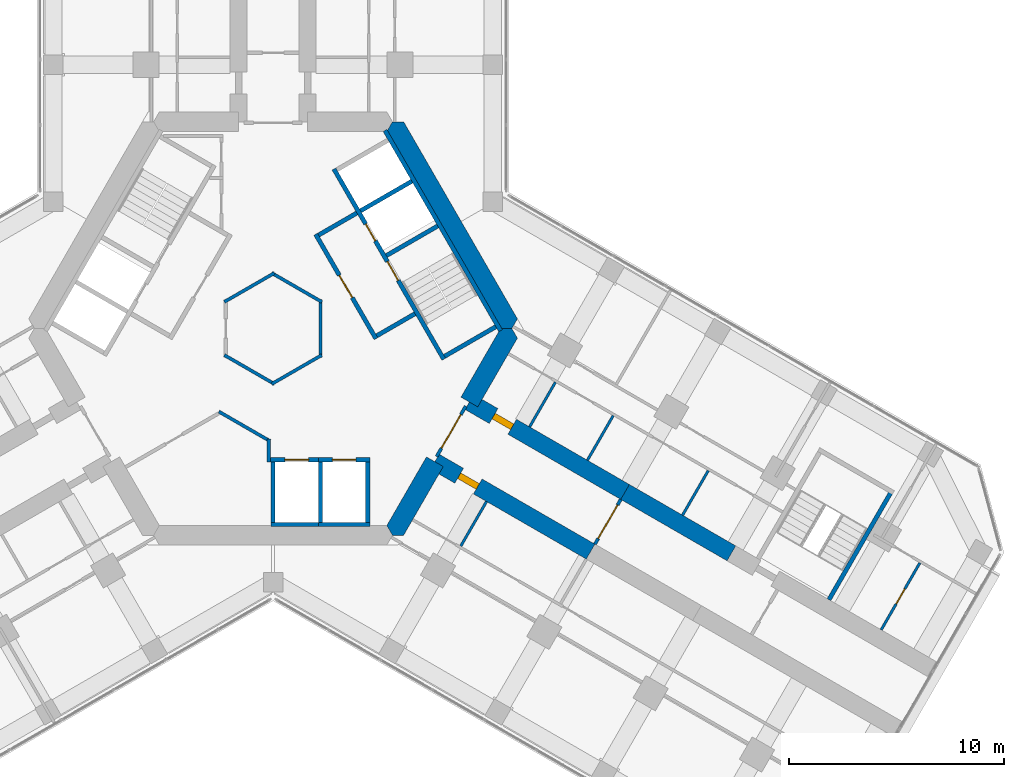
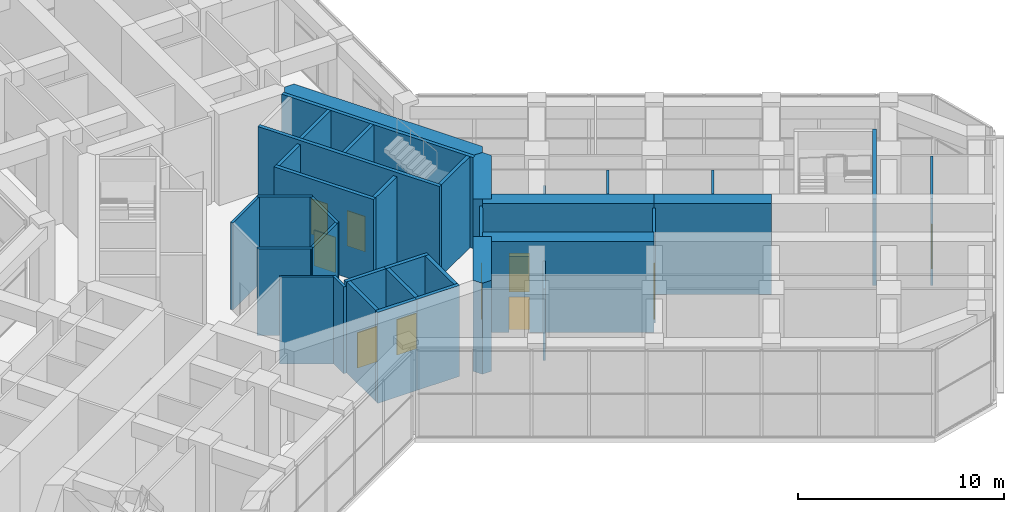
# One storey, part 16 of 20: 36 walls, 10 doors, 10 openings.
"""IFC4 building model written with IfcOpenShell, lengths in metres."""

import ifcopenshell
import ifcopenshell.guid

model = None  # the IFC model being written
_history = None  # IfcOwnerHistory: only IFC2X3 demands one
_inside = {}  # id of a spatial element -> (the spatial element, [elements in it])
_under = {}  # id of a project, library or spatial element -> (it, [spatial elements below it])
_declared = {}  # id of a project -> (the project, [libraries it declares])
_typed = {}  # id of a type object -> (the type object, [elements of that type])
_made_of = {}  # id of a material, layer set ... -> (it, [elements and type objects made of it])


def new_model(schema):
    """Start an empty IFC model of exactly this schema.

    Asked for "IFC4X3", IfcOpenShell would pick the latest addendum, in which some entities
    have other attributes; the version numbers below select the first issue.
    IFC2X3 requires an IfcOwnerHistory on every rooted entity: one is made here for all.
    """
    global model, _history
    if schema == "IFC4X3":
        model = ifcopenshell.file(schema_version=(4, 3, 0, 0))
    else:
        model = ifcopenshell.file(schema=schema)
    _inside.clear()
    _under.clear()
    _declared.clear()
    _typed.clear()
    _made_of.clear()
    _history = None
    if model.schema == "IFC2X3":
        org = make("IfcOrganization", Name="unknown")
        user = make(
            "IfcPersonAndOrganization",
            ThePerson=make("IfcPerson", FamilyName="unknown"),
            TheOrganization=org,
        )
        app = make(
            "IfcApplication",
            ApplicationDeveloper=org,
            Version="unknown",
            ApplicationFullName="unknown",
            ApplicationIdentifier="unknown",
        )
        _history = make(
            "IfcOwnerHistory",
            OwningUser=user,
            OwningApplication=app,
            ChangeAction="ADDED",
            CreationDate=0,
        )
    return model


def make(cls, **values):
    """One entity of the class cls with the attributes given. An attribute that is None is left unset."""
    return model.create_entity(
        cls, **{name: value for name, value in values.items() if value is not None}
    )


def rooted(cls, **values):
    """An entity with a GlobalId (a new one), such as an element, a storey or a relation."""
    return make(cls, GlobalId=ifcopenshell.guid.new(), OwnerHistory=_history, **values)


def si_unit(unit_type, name, prefix=None):
    """IfcSIUnit, for example si_unit("LENGTHUNIT", "METRE", prefix="MILLI")."""
    return make("IfcSIUnit", UnitType=unit_type, Prefix=prefix, Name=name)


def assignment(units):
    """IfcUnitAssignment: the units of a project."""
    return None if units is None else make("IfcUnitAssignment", Units=units)


def point(xyz):
    """IfcCartesianPoint."""
    return None if xyz is None else make("IfcCartesianPoint", Coordinates=xyz)


def direction(xyz):
    """IfcDirection."""
    return None if xyz is None else make("IfcDirection", DirectionRatios=xyz)


def frame(location, z_axis=None, x_axis=None):
    """IfcAxis2Placement3D, a coordinate frame: its origin and axes. An axis left out is left unset."""
    return make(
        "IfcAxis2Placement3D",
        Location=point(location),
        Axis=direction(z_axis),
        RefDirection=direction(x_axis),
    )


def frame_2d(location, x_axis=None):
    """IfcAxis2Placement2D, a coordinate frame in the plane: its origin and x axis."""
    return make(
        "IfcAxis2Placement2D", Location=point(location), RefDirection=direction(x_axis)
    )


def origin():
    """The frame at (0, 0, 0) with its axes left unset."""
    return frame((0.0, 0.0, 0.0))


def place(relative_to, where):
    """IfcLocalPlacement: puts the frame where relative to a parent placement (None: the world)."""
    return make(
        "IfcLocalPlacement", PlacementRelTo=relative_to, RelativePlacement=where
    )


def context(
    kind, dimensions, precision=None, world=None, true_north=None, identifier=None
):
    """IfcGeometricRepresentationContext, for example the 3D "Model" context."""
    return make(
        "IfcGeometricRepresentationContext",
        ContextIdentifier=identifier,
        ContextType=kind,
        CoordinateSpaceDimension=dimensions,
        Precision=precision,
        WorldCoordinateSystem=world,
        TrueNorth=true_north,
    )


def subcontext(parent, identifier, kind, view, scale=None):
    """IfcGeometricRepresentationSubContext, for example "Body" below "Model"."""
    return make(
        "IfcGeometricRepresentationSubContext",
        ContextIdentifier=identifier,
        ContextType=kind,
        ParentContext=parent,
        TargetScale=scale,
        TargetView=view,
    )


def project(units=None, contexts=None):
    """IfcProject with its units and contexts."""
    return rooted(
        "IfcProject",
        Name="project",
        RepresentationContexts=contexts,
        UnitsInContext=assignment(units),
    )


def spatial(cls, under=None, at=None, **own):
    """A site, building, storey or space (cls), placed at a placement, below another one or the project."""
    s = rooted(cls, ObjectPlacement=at, **own)
    if under is not None:
        _under.setdefault(under.id(), (under, []))[1].append(s)
    return s


def polyline(points):
    """IfcPolyline through the points."""
    return make("IfcPolyline", Points=[point(p) for p in points])


def profile(cls, at=None, kind="AREA", **sizes):
    """A parametric profile (cls). Its sizes go by their IFC names, for example OverallWidth=200.0."""
    return make(cls, ProfileType=kind, Position=at, **sizes)


def rectangle(**sizes):
    """IfcRectangleProfileDef."""
    return profile("IfcRectangleProfileDef", **sizes)


def outline(outer, holes=None, kind="AREA"):
    """IfcArbitraryClosedProfileDef: a profile drawn as a closed curve; with holes, ...WithVoids."""
    if holes is None:
        return make("IfcArbitraryClosedProfileDef", ProfileType=kind, OuterCurve=outer)
    return make(
        "IfcArbitraryProfileDefWithVoids",
        ProfileType=kind,
        OuterCurve=outer,
        InnerCurves=holes,
    )


def extrude(swept, where, along, depth):
    """IfcExtrudedAreaSolid: the profile swept, set in the frame where, extruded along a direction by depth."""
    return make(
        "IfcExtrudedAreaSolid",
        SweptArea=swept,
        Position=where,
        ExtrudedDirection=direction(along),
        Depth=depth,
    )


def shape(context_of_items, identifier, shape_type, items):
    """IfcShapeRepresentation: the items that make up one representation, for example the "Body"."""
    return make(
        "IfcShapeRepresentation",
        ContextOfItems=context_of_items,
        RepresentationIdentifier=identifier,
        RepresentationType=shape_type,
        Items=items,
    )


def material(Name=None, Category=None):
    """IfcMaterial."""
    return make("IfcMaterial", Name=Name, Category=Category)


def layer(
    of_material, thickness, ventilated=None, Name=None, Category=None, Priority=None
):
    """IfcMaterialLayer: one layer of a wall or slab, of a material (None: an air gap)."""
    return make(
        "IfcMaterialLayer",
        Material=of_material,
        LayerThickness=thickness,
        IsVentilated=ventilated,
        Name=Name,
        Category=Category,
        Priority=Priority,
    )


def layer_set(layers, Name=None):
    """IfcMaterialLayerSet."""
    return make("IfcMaterialLayerSet", MaterialLayers=layers, LayerSetName=Name)


def made_of(thing, what):
    """Note that an element or type object is made of a material, layer set ...; save() writes the relation."""
    if what is not None:
        _made_of.setdefault(what.id(), (what, []))[1].append(thing)
    return thing


def type_object(cls, material=None, **own):
    """A type object (cls), such as IfcWallType, which elements share."""
    return made_of(rooted(cls, **own), material)


def element(
    cls,
    number,
    at=None,
    inside=None,
    cuts=None,
    type_object=None,
    material=None,
    context=None,
    identifier="Body",
    shape_type=None,
    held_by="IfcProductDefinitionShape",
    body=None,
    shapes=None,
    **own,
):
    """One element of the class cls, such as IfcWall. Its Tag is "e" and its number.

    at: its placement. inside: the storey or other place that contains it. cuts: it is an
    opening in that element (IfcRelVoidsElement). A single representation is given by context,
    identifier, shape_type and body (its items); several are given by shapes. held_by: the class
    of the entity that holds the representations. save() writes the other relations.
    """
    e = rooted(cls, Tag="e%d" % number, ObjectPlacement=at, **own)
    if body is not None:
        shapes = [shape(context, identifier, shape_type, body)]
    if shapes is not None:
        e.Representation = make(held_by, Representations=shapes)
    if inside is not None:
        _inside.setdefault(inside.id(), (inside, []))[1].append(e)
    if cuts is not None:
        rooted(
            "IfcRelVoidsElement", RelatingBuildingElement=cuts, RelatedOpeningElement=e
        )
    if type_object is not None:
        _typed.setdefault(type_object.id(), (type_object, []))[1].append(e)
    return made_of(e, material)


def fill(opening, filler):
    """IfcRelFillsElement: the door or window that sits in an opening."""
    return rooted(
        "IfcRelFillsElement",
        RelatingOpeningElement=opening,
        RelatedBuildingElement=filler,
    )


def aggregate(whole, parts):
    """IfcRelAggregates: a whole, such as a stair, and the parts it consists of."""
    return rooted("IfcRelAggregates", RelatingObject=whole, RelatedObjects=parts)


def save(model, path):
    """Write the relations noted so far, then the file.

    IfcRelAggregates (storeys below a building ...), IfcRelContainedInSpatialStructure (elements
    in a storey), IfcRelDefinesByType, IfcRelAssociatesMaterial and IfcRelDeclares: one each for
    every whole, place, type object, material and project.
    """
    for whole, parts in _under.values():
        aggregate(whole, parts)
    for where, things in _inside.values():
        rooted(
            "IfcRelContainedInSpatialStructure",
            RelatedElements=things,
            RelatingStructure=where,
        )
    for kind, things in _typed.values():
        rooted("IfcRelDefinesByType", RelatedObjects=things, RelatingType=kind)
    for what, things in _made_of.values():
        rooted("IfcRelAssociatesMaterial", RelatedObjects=things, RelatingMaterial=what)
    for by, libraries in _declared.values():
        rooted("IfcRelDeclares", RelatingContext=by, RelatedDefinitions=libraries)
    model.write(path)


model = new_model("IFC4")

# Units and contexts
model_context = context("Model", 3, precision=1e-05, world=origin(), true_north=direction((0.0, 1.0)))
body_context = subcontext(model_context, "Body", "Model", "MODEL_VIEW")
ifc_project = project(units=[si_unit("LENGTHUNIT", "METRE"), si_unit("AREAUNIT", "SQUARE_METRE"), si_unit("VOLUMEUNIT", "CUBIC_METRE"), si_unit("PLANEANGLEUNIT", "RADIAN"), si_unit("MASSUNIT", "GRAM", prefix="KILO")], contexts=[model_context])

# Site, building, storey
site_placement = place(None, origin())
site = spatial("IfcSite", under=ifc_project, at=site_placement, CompositionType="ELEMENT")
building_placement = place(site_placement, origin())
building = spatial("IfcBuilding", under=site, at=building_placement, Name="Kosmar Iwan School Tower", CompositionType="ELEMENT")
storey_placement = place(building_placement, frame((0.0, 0.0, 152.60009765625)))
storey = spatial("IfcBuildingStorey", under=building, at=storey_placement, Name="L38", CompositionType="ELEMENT", Elevation=152.60009765625)

# Walls
ifc_material_1 = material(Name="Gypsum board on steel studs, fire-rated", Category="steel")
ifc_layer_1 = layer(ifc_material_1, 0.14990234375)
ifc_layer_set_1 = layer_set([ifc_layer_1], Name="Core room partition 150")
wall_type_1 = type_object("IfcWallType", Name="Core room partition 150", PredefinedType="PARTITIONING", material=ifc_layer_set_1)
wall_1_placement = place(storey_placement, frame((-2.514892578125, -3.859619140625, 0.0), z_axis=(0.0, 0.0, 1.0), x_axis=(0.866025804792, -0.499999305434, 0.0)))
element("IfcWall", 1, at=wall_1_placement, inside=storey, type_object=wall_type_1, Name="Core room partition L38-CW6", PredefinedType="PARTITIONING", context=body_context, shape_type="SweptSolid", body=[
    extrude(rectangle(XDim=2.748046875, YDim=0.14990234375, at=frame_2d((1.3740234375, 0.0))), origin(), (0.0, 0.0, 1.0), 5.14990234375),
])
wall_2_placement = place(storey_placement, frame((-0.199951171875, -5.12109375, 0.0), z_axis=(0.0, 0.0, 1.0), x_axis=(0.0, -1.0, 0.0)))
element("IfcWall", 2, at=wall_2_placement, inside=storey, type_object=wall_type_1, Name="Core room partition L38-CW7", PredefinedType="PARTITIONING", context=body_context, shape_type="SweptSolid", body=[
    extrude(rectangle(XDim=1.078857421875, YDim=0.14990234375, at=frame_2d((0.53955078125, 0.0))), origin(), (0.0, 0.0, 1.0), 5.14990234375),
])
for number, where, z_axis, x_axis, name in (
    (3, (2.264892578125, -1.232666015625, 0.0), (0.0, 0.0, 1.0), (-0.866011792348, -0.500023574959, 0.0), "Core room partition L38-CW8"),
    (4, (0.06494140625, -2.577880859375, 0.0), (0.0, 0.0, 1.0), (-0.866011792348, 0.500023574959, 0.0), "Core room partition L38-CW9"),
    (5, (-2.264892578125, 1.232666015625, 0.0), (0.0, 0.0, 1.0), (0.866011792348, 0.500023574959, 0.0), "Core room partition L38-CW11"),
    (6, (-0.06494140625, 2.577880859375, 0.0), (0.0, 0.0, 1.0), (0.866011792348, -0.500023574959, 0.0), "Core room partition L38-CW12"),
):
    element("IfcWall", number, at=place(storey_placement, frame(where, z_axis=z_axis, x_axis=x_axis)), inside=storey, type_object=wall_type_1, Name=name, PredefinedType="PARTITIONING", context=body_context, shape_type="SweptSolid", body=[
        extrude(rectangle(XDim=2.690185546875, YDim=0.14990234375, at=frame_2d((1.34521484375, 0.0))), origin(), (0.0, 0.0, 1.0), 5.14990234375),
    ])
wall_3_placement = place(storey_placement, frame((2.199951171875, 1.34521484375, 0.0), z_axis=(0.0, 0.0, 1.0), x_axis=(0.0, -1.0, 0.0)))
element("IfcWall", 7, at=wall_3_placement, inside=storey, type_object=wall_type_1, Name="Core room partition L38-CW13", PredefinedType="PARTITIONING", context=body_context, shape_type="SweptSolid", body=[
    extrude(rectangle(XDim=2.6904296875, YDim=0.14990234375, at=frame_2d((1.34521484375, 0.0))), origin(), (0.0, 0.0, 1.0), 5.14990234375),
])
ifc_material_2 = material(Name="Concrete C50/60", Category="concrete")
ifc_layer_2 = layer(ifc_material_2, 0.89990234375)
ifc_layer_set_2 = layer_set([ifc_layer_2], Name="Core wall 900")
wall_type_2 = type_object("IfcWallType", Name="Core wall 900", PredefinedType="SHEAR", material=ifc_layer_set_2)
wall_4_placement = place(storey_placement, origin())
element("IfcWall", 8, at=wall_4_placement, inside=storey, type_object=wall_type_2, Name="Core wall F030", PredefinedType="SHEAR", context=body_context, shape_type="SweptSolid", body=[
    extrude(outline(polyline([(10.5654296875, 0.0), (11.085205078125, 0.0), (11.344970703125, 0.449951171875), (6.062255859375, 9.60009765625), (5.54248046875, 9.60009765625), (5.28271484375, 9.14990234375), (10.5654296875, 0.0)])), origin(), (0.0, 0.0, 1.0), 5.39990234375),
])
wall_5_placement = place(storey_placement, origin())
element("IfcWall", 9, at=wall_5_placement, inside=storey, type_object=wall_type_2, Name="Core wall F330a", PredefinedType="SHEAR", context=body_context, shape_type="SweptSolid", body=[
    extrude(outline(polyline([(5.54248046875, -9.60009765625), (6.062255859375, -9.60009765625), (7.903564453125, -6.41064453125), (7.1240234375, -5.960693359375), (5.28271484375, -9.14990234375), (5.54248046875, -9.60009765625)])), origin(), (0.0, 0.0, 1.0), 5.39990234375),
])
wall_6_placement = place(storey_placement, origin())
element("IfcWall", 10, at=wall_6_placement, inside=storey, type_object=wall_type_2, Name="Core wall F330b", PredefinedType="SHEAR", context=body_context, shape_type="SweptSolid", body=[
    extrude(outline(polyline([(9.503662109375, -3.639404296875), (11.344970703125, -0.449951171875), (11.085205078125, 0.0), (10.5654296875, 0.0), (8.72412109375, -3.189453125), (9.503662109375, -3.639404296875)])), origin(), (0.0, 0.0, 1.0), 5.39990234375),
])

# Wall, opening, door
ifc_material_3 = material(Name="Concrete C50/60", Category="concrete")
ifc_layer_3 = layer(ifc_material_3, 0.800048828125)
ifc_layer_set_3 = layer_set([ifc_layer_3], Name="Corridor buttress wall 800")
wall_type_3 = type_object("IfcWallType", Name="Corridor buttress wall 800", PredefinedType="SHEAR", material=ifc_layer_set_3)
wall_7_placement = place(storey_placement, frame((9.11376953125, -3.414306640625, 0.0), z_axis=(0.0, 0.0, 1.0), x_axis=(0.866026859388, -0.499997478812, 0.0)))
wall_7 = element("IfcWall", 11, at=wall_7_placement, inside=storey, type_object=wall_type_3, Name="Corridor wall CL", PredefinedType="SHEAR", context=body_context, shape_type="SweptSolid", body=[
    extrude(rectangle(XDim=8.35009765625, YDim=0.800048828125, at=frame_2d((4.175048828125, 0.0))), origin(), (0.0, 0.0, 1.0), 5.39990234375),
])
opening_1_placement = place(wall_7_placement, frame((1.300048828125, 0.0, 0.0)))
opening_1 = element("IfcOpeningElement", 12, at=opening_1_placement, cuts=wall_7, Name="Opening D1", PredefinedType="OPENING", context=body_context, shape_type="SweptSolid", body=[
    extrude(rectangle(XDim=1.0, YDim=2.10009765625, at=frame_2d((0.5, 1.050048828125))), frame((0.0, 0.412109375, 0.0), z_axis=(0.0, -1.0, 0.0), x_axis=(1.0, 0.0, 0.0)), (0.0, 0.0, 1.0), 0.823974609375),
])
ifc_material_4 = material(Name="Timber fire door in steel frame", Category="steel")
door_type_1 = type_object("IfcDoorType", Name="Flat entrance door 1000x2100", OperationType="SINGLE_SWING_LEFT", PredefinedType="DOOR", material=ifc_material_4)
door_1_placement = place(opening_1_placement, origin())
door_1 = element("IfcDoor", 13, at=door_1_placement, inside=storey, type_object=door_type_1, Name="Flat L38-CL1 entrance door", OperationType="SINGLE_SWING_RIGHT", OverallHeight=2.10009765625, OverallWidth=1.0, PredefinedType="DOOR", context=body_context, shape_type="SweptSolid", body=[
    extrude(rectangle(XDim=1.0, YDim=2.10009765625, at=frame_2d((0.5, 1.050048828125))), frame((0.0, 0.14990234375, 0.0), z_axis=(0.0, -1.0, 0.0), x_axis=(1.0, 0.0, 0.0)), (0.0, 0.0, 1.0), 0.300048828125),
])
fill(opening_1, door_1)

# Wall
wall_8_placement = place(storey_placement, frame((16.34521484375, -7.58935546875, 0.0), z_axis=(0.0, 0.0, 1.0), x_axis=(0.866015111908, -0.50001782563, 0.0)))
element("IfcWall", 14, at=wall_8_placement, inside=storey, type_object=wall_type_3, Name="Corridor wall CL bay 2", PredefinedType="SHEAR", context=body_context, shape_type="SweptSolid", body=[
    extrude(rectangle(XDim=5.699951171875, YDim=0.800048828125, at=frame_2d((2.85009765625, 0.0))), origin(), (0.0, 0.0, 1.0), 5.39990234375),
])

# Wall, opening, door
wall_9_placement = place(storey_placement, frame((7.513916015625, -6.185546875, 0.0), z_axis=(0.0, 0.0, 1.0), x_axis=(0.866019549707, -0.500010139422, 0.0)))
wall_9 = element("IfcWall", 15, at=wall_9_placement, inside=storey, type_object=wall_type_3, Name="Corridor wall CR", PredefinedType="SHEAR", context=body_context, shape_type="SweptSolid", body=[
    extrude(rectangle(XDim=8.349853515625, YDim=0.800048828125, at=frame_2d((4.1748046875, 0.0))), origin(), (0.0, 0.0, 1.0), 5.39990234375),
])
opening_2_placement = place(wall_9_placement, frame((1.300048828125, 0.0, 0.0)))
opening_2 = element("IfcOpeningElement", 16, at=opening_2_placement, cuts=wall_9, Name="Opening D1", PredefinedType="OPENING", context=body_context, shape_type="SweptSolid", body=[
    extrude(rectangle(XDim=1.0, YDim=2.10009765625, at=frame_2d((0.5, 1.050048828125))), frame((0.0, 0.412109375, 0.0), z_axis=(0.0, -1.0, 0.0), x_axis=(1.0, 0.0, 0.0)), (0.0, 0.0, 1.0), 0.823974609375),
])
door_2_placement = place(opening_2_placement, origin())
door_2 = element("IfcDoor", 17, at=door_2_placement, inside=storey, type_object=door_type_1, Name="Flat L38-CR1 entrance door", OperationType="SINGLE_SWING_LEFT", OverallHeight=2.10009765625, OverallWidth=1.0, PredefinedType="DOOR", context=body_context, shape_type="SweptSolid", body=[
    extrude(rectangle(XDim=1.0, YDim=2.10009765625, at=frame_2d((0.5, 1.050048828125))), frame((0.0, 0.14990234375, 0.0), z_axis=(0.0, -1.0, 0.0), x_axis=(1.0, 0.0, 0.0)), (0.0, 0.0, 1.0), 0.300048828125),
])
fill(opening_2, door_2)

ifc_material_5 = material(Name="Gypsum board on steel studs, fire-rated", Category="steel")
ifc_layer_4 = layer(ifc_material_5, 0.14990234375)
ifc_layer_set_4 = layer_set([ifc_layer_4], Name="Corridor end wall 150")
wall_type_4 = type_object("IfcWallType", Name="Corridor end wall 150", PredefinedType="PARTITIONING", material=ifc_layer_set_4)
wall_10_placement = place(storey_placement, frame((14.945068359375, -10.01416015625, 0.0), z_axis=(0.0, 0.0, 1.0), x_axis=(0.500077600433, 0.865980596518, 0.0)))
wall_10 = element("IfcWall", 18, at=wall_10_placement, inside=storey, type_object=wall_type_4, Name="Partition L38-C-HW", PredefinedType="PARTITIONING", context=body_context, shape_type="SweptSolid", body=[
    extrude(rectangle(XDim=2.39990234375, YDim=0.14990234375, at=frame_2d((1.199951171875, 0.0))), origin(), (0.0, 0.0, 1.0), 5.14990234375),
])
opening_3_placement = place(wall_10_placement, frame((0.300048828125, 0.0, 0.0)))
opening_3 = element("IfcOpeningElement", 19, at=opening_3_placement, cuts=wall_10, Name="Opening D9", PredefinedType="OPENING", context=body_context, shape_type="SweptSolid", body=[
    extrude(rectangle(XDim=1.800048828125, YDim=2.10009765625, at=frame_2d((0.89990234375, 1.050048828125))), frame((0.0, 0.0869140625, 0.0), z_axis=(0.0, -1.0, 0.0), x_axis=(1.0, 0.0, 0.0)), (0.0, 0.0, 1.0), 0.173828125),
])
ifc_material_6 = material(Name="Steel framed glazed smoke door", Category="steel")
door_type_2 = type_object("IfcDoorType", Name="Corridor smoke door pair 1800x2100", OperationType="DOUBLE_DOOR_DOUBLE_SWING", PredefinedType="DOOR", material=ifc_material_6)
door_3_placement = place(opening_3_placement, origin())
door_3 = element("IfcDoor", 20, at=door_3_placement, inside=storey, type_object=door_type_2, Name="Entrance vestibule smoke doors L38-C", OperationType="DOUBLE_DOOR_DOUBLE_SWING", OverallHeight=2.10009765625, OverallWidth=1.800048828125, PredefinedType="DOOR", context=body_context, shape_type="SweptSolid", body=[
    extrude(rectangle(XDim=1.800048828125, YDim=2.10009765625, at=frame_2d((0.89990234375, 1.050048828125))), frame((0.0, 0.02490234375, 0.0), z_axis=(0.0, -1.0, 0.0), x_axis=(1.0, 0.0, 0.0)), (0.0, 0.0, 1.0), 0.050048828125),
])
fill(opening_3, door_3)

ifc_material_7 = material(Name="Steel framed glazed screen", Category="steel")
ifc_layer_5 = layer(ifc_material_7, 0.14990234375)
ifc_layer_set_5 = layer_set([ifc_layer_5], Name="Corridor screen wall 150")
wall_type_5 = type_object("IfcWallType", Name="Corridor screen wall 150", PredefinedType="PARTITIONING", material=ifc_layer_set_5)
wall_11_placement = place(storey_placement, frame((7.595458984375, -5.944091796875, 0.0), z_axis=(0.0, 0.0, 1.0), x_axis=(0.500048589285, 0.86599734893, 0.0)))
wall_11 = element("IfcWall", 21, at=wall_11_placement, inside=storey, type_object=wall_type_5, Name="Corridor screen C L38", PredefinedType="PARTITIONING", context=body_context, shape_type="SweptSolid", body=[
    extrude(rectangle(XDim=2.699951171875, YDim=0.14990234375, at=frame_2d((1.35009765625, 0.0))), origin(), (0.0, 0.0, 1.0), 5.14990234375),
])
opening_4_placement = place(wall_11_placement, frame((0.449951171875, 0.0, 0.0)))
opening_4 = element("IfcOpeningElement", 22, at=opening_4_placement, cuts=wall_11, Name="Opening D9", PredefinedType="OPENING", context=body_context, shape_type="SweptSolid", body=[
    extrude(rectangle(XDim=1.800048828125, YDim=2.10009765625, at=frame_2d((0.89990234375, 1.050048828125))), frame((0.0, 0.0869140625, 0.0), z_axis=(0.0, -1.0, 0.0), x_axis=(1.0, 0.0, 0.0)), (0.0, 0.0, 1.0), 0.173828125),
])
door_4_placement = place(opening_4_placement, origin())
door_4 = element("IfcDoor", 23, at=door_4_placement, inside=storey, type_object=door_type_2, Name="Corridor doors C L38", OperationType="DOUBLE_DOOR_DOUBLE_SWING", OverallHeight=2.10009765625, OverallWidth=1.800048828125, PredefinedType="DOOR", context=body_context, shape_type="SweptSolid", body=[
    extrude(rectangle(XDim=1.800048828125, YDim=2.10009765625, at=frame_2d((0.89990234375, 1.050048828125))), frame((0.0, 0.02490234375, 0.0), z_axis=(0.0, -1.0, 0.0), x_axis=(1.0, 0.0, 0.0)), (0.0, 0.0, 1.0), 0.050048828125),
])
fill(opening_4, door_4)

# Walls
ifc_material_8 = material(Name="Gypsum board on steel studs", Category="steel")
ifc_layer_6 = layer(ifc_material_8, 0.1201171875)
ifc_layer_set_6 = layer_set([ifc_layer_6], Name="Dwelling partition 120")
wall_type_6 = type_object("IfcWallType", Name="Dwelling partition 120", PredefinedType="PARTITIONING", material=ifc_layer_set_6)
wall_12_placement = place(storey_placement, frame((11.911865234375, -4.56787109375, 0.0), z_axis=(0.0, 0.0, 1.0), x_axis=(0.500017192868, 0.86601547725, 0.0)))
element("IfcWall", 24, at=wall_12_placement, inside=storey, type_object=wall_type_6, Name="Partition L38-CL1-Y1", PredefinedType="PARTITIONING", context=body_context, shape_type="SweptSolid", body=[
    extrude(rectangle(XDim=2.39013671875, YDim=0.1201171875, at=frame_2d((1.195068359375, 0.0))), origin(), (0.0, 0.0, 1.0), 4.25),
])
for number, where, z_axis, x_axis, name in (
    (25, (14.5966796875, -6.117919921875, 0.0), (0.0, 0.0, 1.0), (0.499940577336, 0.866059708757, 0.0), "Partition L38-CL1-Y2"),
    (26, (19.013427734375, -8.66796875, 0.0), (0.0, 0.0, 1.0), (0.499940577336, 0.866059708757, 0.0), "Partition L38-CL1-Y3"),
):
    element("IfcWall", number, at=place(storey_placement, frame(where, z_axis=z_axis, x_axis=x_axis)), inside=storey, type_object=wall_type_6, Name=name, PredefinedType="PARTITIONING", context=body_context, shape_type="SweptSolid", body=[
        extrude(rectangle(XDim=2.389892578125, YDim=0.1201171875, at=frame_2d((1.19482421875, 0.0))), origin(), (0.0, 0.0, 1.0), 5.14990234375),
    ])

# Wall, opening, door
wall_13_placement = place(storey_placement, frame((28.236572265625, -13.992919921875, 0.0), z_axis=(0.0, 0.0, 1.0), x_axis=(0.499971658126, 0.866041766355, 0.0)))
wall_13 = element("IfcWall", 27, at=wall_13_placement, inside=storey, type_object=wall_type_6, Name="Partition L38-CL1-TY", PredefinedType="PARTITIONING", context=body_context, shape_type="SweptSolid", body=[
    extrude(rectangle(XDim=3.590087890625, YDim=0.1201171875, at=frame_2d((1.794921875, 0.0))), origin(), (0.0, 0.0, 1.0), 5.14990234375),
])
opening_5_placement = place(wall_13_placement, frame((1.39501953125, 0.0, 0.0)))
opening_5 = element("IfcOpeningElement", 28, at=opening_5_placement, cuts=wall_13, Name="Opening D3", PredefinedType="OPENING", context=body_context, shape_type="SweptSolid", body=[
    extrude(rectangle(XDim=0.800048828125, YDim=2.10009765625, at=frame_2d((0.39990234375, 1.050048828125))), frame((0.0, 0.072021484375, 0.0), z_axis=(0.0, -1.0, 0.0), x_axis=(1.0, 0.0, 0.0)), (0.0, 0.0, 1.0), 0.14404296875),
])
ifc_material_9 = material(Name="Timber door in timber frame", Category="wood")
door_type_3 = type_object("IfcDoorType", Name="Sanitary room door 800x2100", OperationType="SINGLE_SWING_LEFT", PredefinedType="DOOR", material=ifc_material_9)
door_5_placement = place(opening_5_placement, origin())
door_5 = element("IfcDoor", 29, at=door_5_placement, inside=storey, type_object=door_type_3, Name="Store door L38-CL1-T4", OperationType="SINGLE_SWING_RIGHT", OverallHeight=2.10009765625, OverallWidth=0.800048828125, PredefinedType="DOOR", context=body_context, shape_type="SweptSolid", body=[
    extrude(rectangle(XDim=0.800048828125, YDim=2.10009765625, at=frame_2d((0.39990234375, 1.050048828125))), frame((0.0, 0.02490234375, 0.0), z_axis=(0.0, -1.0, 0.0), x_axis=(1.0, 0.0, 0.0)), (0.0, 0.0, 1.0), 0.050048828125),
])
fill(opening_5, door_5)

# Walls
wall_14_placement = place(storey_placement, frame((9.911865234375, -8.031982421875, 0.0), z_axis=(0.0, 0.0, 1.0), x_axis=(-0.500017192868, -0.86601547725, 0.0)))
element("IfcWall", 30, at=wall_14_placement, inside=storey, type_object=wall_type_6, Name="Partition L38-CR1-Y1", PredefinedType="PARTITIONING", context=body_context, shape_type="SweptSolid", body=[
    extrude(rectangle(XDim=2.39013671875, YDim=0.1201171875, at=frame_2d((1.195068359375, 0.0))), origin(), (0.0, 0.0, 1.0), 4.25),
])
ifc_material_10 = material(Name="Concrete C35/45", Category="concrete")
ifc_layer_7 = layer(ifc_material_10, 0.199951171875)
ifc_layer_set_7 = layer_set([ifc_layer_7], Name="Escape stair wall 200")
wall_type_7 = type_object("IfcWallType", Name="Escape stair wall 200", PredefinedType="SHEAR", material=ifc_layer_set_7)
wall_15_placement = place(storey_placement, frame((25.8115234375, -12.593017578125, 0.0), z_axis=(0.0, 0.0, 1.0), x_axis=(0.500019744199, 0.866014004166, 0.0)))
element("IfcWall", 31, at=wall_15_placement, inside=storey, type_object=wall_type_7, Name="Stair WS3 wall", PredefinedType="SHEAR", context=body_context, shape_type="SweptSolid", body=[
    extrude(rectangle(XDim=5.900146484375, YDim=0.199951171875, at=frame_2d((2.9501953125, 0.0))), origin(), (0.0, 0.0, 1.0), 5.1298828125),
])

# Wall, opening, door
ifc_material_11 = material(Name="Concrete block masonry", Category="masonry")
ifc_layer_8 = layer(ifc_material_11, 0.199951171875)
ifc_layer_set_8 = layer_set([ifc_layer_8], Name="Fire lobby wall 200")
wall_type_8 = type_object("IfcWallType", Name="Fire lobby wall 200", PredefinedType="PARTITIONING", material=ifc_layer_set_8)
wall_16_placement = place(storey_placement, frame((4.777587890625, -0.474853515625, 0.0), z_axis=(0.0, 0.0, 1.0), x_axis=(-0.500016814911, 0.866015695474, 0.0)))
wall_16 = element("IfcWall", 32, at=wall_16_placement, inside=storey, type_object=wall_type_8, Name="Firefighting lobby wall ST1", PredefinedType="PARTITIONING", context=body_context, shape_type="SweptSolid", body=[
    extrude(rectangle(XDim=5.599853515625, YDim=0.199951171875, at=frame_2d((2.7998046875, 0.0))), origin(), (0.0, 0.0, 1.0), 5.14990234375),
])
opening_6_placement = place(wall_16_placement, frame((2.199951171875, 0.0, 0.0)))
opening_6 = element("IfcOpeningElement", 33, at=opening_6_placement, cuts=wall_16, Name="Opening D7", PredefinedType="OPENING", context=body_context, shape_type="SweptSolid", body=[
    extrude(rectangle(XDim=1.199951171875, YDim=2.10009765625, at=frame_2d((0.60009765625, 1.050048828125))), frame((0.0, 0.112060546875, 0.0), z_axis=(0.0, -1.0, 0.0), x_axis=(1.0, 0.0, 0.0)), (0.0, 0.0, 1.0), 0.223876953125),
])
ifc_material_12 = material(Name="Steel fire door", Category="steel")
door_type_4 = type_object("IfcDoorType", Name="Fire lobby door 1200x2100", OperationType="SINGLE_SWING_LEFT", PredefinedType="DOOR", material=ifc_material_12)
door_6_placement = place(opening_6_placement, origin())
door_6 = element("IfcDoor", 34, at=door_6_placement, inside=storey, type_object=door_type_4, Name="Firefighting lobby door ST1 L38", OperationType="SINGLE_SWING_RIGHT", OverallHeight=2.10009765625, OverallWidth=1.199951171875, PredefinedType="DOOR", context=body_context, shape_type="SweptSolid", body=[
    extrude(rectangle(XDim=1.199951171875, YDim=2.10009765625, at=frame_2d((0.60009765625, 1.050048828125))), frame((0.0, 0.02490234375, 0.0), z_axis=(0.0, -1.0, 0.0), x_axis=(1.0, 0.0, 0.0)), (0.0, 0.0, 1.0), 0.050048828125),
])
fill(opening_6, door_6)

# Walls
wall_17_placement = place(storey_placement, frame((4.814208984375, -0.33837890625, 0.0), z_axis=(0.0, 0.0, 1.0), x_axis=(0.865969381856, 0.500097020274, 0.0)))
element("IfcWall", 35, at=wall_17_placement, inside=storey, type_object=wall_type_8, Name="Firefighting lobby wall ST1", PredefinedType="PARTITIONING", context=body_context, shape_type="SweptSolid", body=[
    extrude(rectangle(XDim=2.0498046875, YDim=0.199951171875, at=frame_2d((1.02490234375, 0.0))), origin(), (0.0, 0.0, 1.0), 5.14990234375),
])
wall_18_placement = place(storey_placement, frame((2.114013671875, 4.33837890625, 0.0), z_axis=(0.0, 0.0, 1.0), x_axis=(0.866050731258, 0.499956128963, 0.0)))
element("IfcWall", 36, at=wall_18_placement, inside=storey, type_object=wall_type_8, Name="Firefighting lobby wall ST1", PredefinedType="PARTITIONING", context=body_context, shape_type="SweptSolid", body=[
    extrude(rectangle(XDim=2.050048828125, YDim=0.199951171875, at=frame_2d((1.02490234375, 0.0))), origin(), (0.0, 0.0, 1.0), 5.14990234375),
])

# Wall, openings, doors
ifc_material_13 = material(Name="Concrete C50/60", Category="concrete")
ifc_layer_9 = layer(ifc_material_13, 0.199951171875)
ifc_layer_set_9 = layer_set([ifc_layer_9], Name="Lift shaft wall 200")
wall_type_9 = type_object("IfcWallType", Name="Lift shaft wall 200", PredefinedType="SHEAR", material=ifc_layer_set_9)
wall_19_placement = place(storey_placement, frame((7.926025390625, -1.42822265625, 0.0), z_axis=(0.0, 0.0, 1.0), x_axis=(-0.499998023675, 0.866026544813, 0.0)))
wall_19 = element("IfcWall", 37, at=wall_19_placement, inside=storey, type_object=wall_type_9, Name="Lift and stair front wall AC", PredefinedType="SHEAR", context=body_context, shape_type="SweptSolid", body=[
    extrude(rectangle(XDim=10.19970703125, YDim=0.199951171875, at=frame_2d((5.099853515625, 0.0))), origin(), (0.0, 0.0, 1.0), 5.39990234375),
])
opening_7_placement = place(wall_19_placement, frame((6.35009765625, 0.0, 0.0)))
opening_7 = element("IfcOpeningElement", 38, at=opening_7_placement, cuts=wall_19, Name="Opening LD2", PredefinedType="OPENING", context=body_context, shape_type="SweptSolid", body=[
    extrude(rectangle(XDim=0.89990234375, YDim=2.10009765625, at=frame_2d((0.449951171875, 1.050048828125))), frame((0.0, 0.112060546875, 0.0), z_axis=(0.0, -1.0, 0.0), x_axis=(1.0, 0.0, 0.0)), (0.0, 0.0, 1.0), 0.223876953125),
])
opening_8_placement = place(wall_19_placement, frame((4.22998046875, 0.0, 0.0)))
opening_8 = element("IfcOpeningElement", 39, at=opening_8_placement, cuts=wall_19, Name="Opening D6", PredefinedType="OPENING", context=body_context, shape_type="SweptSolid", body=[
    extrude(rectangle(XDim=1.0, YDim=2.10009765625, at=frame_2d((0.5, 1.050048828125))), frame((0.0, 0.112060546875, 0.0), z_axis=(0.0, -1.0, 0.0), x_axis=(1.0, 0.0, 0.0)), (0.0, 0.0, 1.0), 0.223876953125),
])
ifc_material_14 = material(Name="Stainless steel sliding lift door", Category="steel")
door_type_5 = type_object("IfcDoorType", Name="Firefighting lift landing door 900x2100", OperationType="SLIDING_TO_LEFT", PredefinedType="DOOR", material=ifc_material_14)
door_7_placement = place(opening_7_placement, origin())
door_7 = element("IfcDoor", 40, at=door_7_placement, inside=storey, type_object=door_type_5, Name="Lift FF1 landing door L38", OperationType="SLIDING_TO_LEFT", OverallHeight=2.10009765625, OverallWidth=0.89990234375, PredefinedType="DOOR", context=body_context, shape_type="SweptSolid", body=[
    extrude(rectangle(XDim=0.89990234375, YDim=2.10009765625, at=frame_2d((0.449951171875, 1.050048828125))), frame((0.0, 0.02490234375, 0.0), z_axis=(0.0, -1.0, 0.0), x_axis=(1.0, 0.0, 0.0)), (0.0, 0.0, 1.0), 0.050048828125),
])
fill(opening_7, door_7)
ifc_material_15 = material(Name="Steel fire door", Category="steel")
door_type_6 = type_object("IfcDoorType", Name="Stair door 1000x2100", OperationType="SINGLE_SWING_LEFT", PredefinedType="DOOR", material=ifc_material_15)
door_8_placement = place(opening_8_placement, origin())
door_8 = element("IfcDoor", 41, at=door_8_placement, inside=storey, type_object=door_type_6, Name="Stair ST1 door L38", OperationType="SINGLE_SWING_LEFT", OverallHeight=2.10009765625, OverallWidth=1.0, PredefinedType="DOOR", context=body_context, shape_type="SweptSolid", body=[
    extrude(rectangle(XDim=1.0, YDim=2.10009765625, at=frame_2d((0.5, 1.050048828125))), frame((0.0, 0.02490234375, 0.0), z_axis=(0.0, -1.0, 0.0), x_axis=(1.0, 0.0, 0.0)), (0.0, 0.0, 1.0), 0.050048828125),
])
fill(opening_8, door_8)

# Walls
wall_20_placement = place(storey_placement, frame((10.5654296875, -0.10009765625, 0.0), z_axis=(0.0, 0.0, 1.0), x_axis=(-0.499999935134, 0.866025441235, 0.0)))
element("IfcWall", 42, at=wall_20_placement, inside=storey, type_object=wall_type_9, Name="Lift and stair back wall AC", PredefinedType="SHEAR", context=body_context, shape_type="SweptSolid", body=[
    extrude(rectangle(XDim=10.73876953125, YDim=0.199951171875, at=frame_2d((5.369384765625, 0.0))), origin(), (0.0, 0.0, 1.0), 5.39990234375),
])
wall_21_placement = place(storey_placement, frame((4.062744140625, 5.46337890625, 0.0), z_axis=(0.0, 0.0, 1.0), x_axis=(0.866027397988, 0.499996545922, 0.0)))
element("IfcWall", 43, at=wall_21_placement, inside=storey, type_object=wall_type_9, Name="Lift shaft wall AC 1", PredefinedType="SHEAR", context=body_context, shape_type="SweptSolid", body=[
    extrude(rectangle(XDim=2.75, YDim=0.199951171875, at=frame_2d((1.375, 0.0))), origin(), (0.0, 0.0, 1.0), 5.39990234375),
])

# Wall, opening, door
wall_22_placement = place(storey_placement, frame((-0.125, -6.10009765625, 0.0), z_axis=(0.0, 0.0, 1.0), x_axis=(1.0, 0.0, 0.0)))
wall_22 = element("IfcWall", 44, at=wall_22_placement, inside=storey, type_object=wall_type_9, Name="Lift and stair front wall BC", PredefinedType="SHEAR", context=body_context, shape_type="SweptSolid", body=[
    extrude(rectangle(XDim=2.22509765625, YDim=0.199951171875, at=frame_2d((1.112548828125, 0.0))), origin(), (0.0, 0.0, 1.0), 5.39990234375),
])
opening_9_placement = place(wall_22_placement, frame((0.675048828125, 0.0, 0.0)))
opening_9 = element("IfcOpeningElement", 45, at=opening_9_placement, cuts=wall_22, Name="Opening LD1", PredefinedType="OPENING", context=body_context, shape_type="SweptSolid", body=[
    extrude(rectangle(XDim=1.10009765625, YDim=2.10009765625, at=frame_2d((0.550048828125, 1.050048828125))), frame((0.0, 0.112060546875, 0.0), z_axis=(0.0, -1.0, 0.0), x_axis=(1.0, 0.0, 0.0)), (0.0, 0.0, 1.0), 0.223876953125),
])
ifc_material_16 = material(Name="Stainless steel sliding lift door", Category="steel")
door_type_7 = type_object("IfcDoorType", Name="Lift landing door 1100x2100", OperationType="SLIDING_TO_LEFT", PredefinedType="DOOR", material=ifc_material_16)
door_9_placement = place(opening_9_placement, origin())
door_9 = element("IfcDoor", 46, at=door_9_placement, inside=storey, type_object=door_type_7, Name="Lift PL3 landing door L38", OperationType="SLIDING_TO_LEFT", OverallHeight=2.10009765625, OverallWidth=1.10009765625, PredefinedType="DOOR", context=body_context, shape_type="SweptSolid", body=[
    extrude(rectangle(XDim=1.10009765625, YDim=2.10009765625, at=frame_2d((0.550048828125, 1.050048828125))), frame((0.0, 0.02490234375, 0.0), z_axis=(0.0, -1.0, 0.0), x_axis=(1.0, 0.0, 0.0)), (0.0, 0.0, 1.0), 0.050048828125),
])
fill(opening_9, door_9)

# Wall
wall_23_placement = place(storey_placement, frame((-0.10009765625, -9.10009765625, 0.0), z_axis=(0.0, 0.0, 1.0), x_axis=(1.0, 0.0, 0.0)))
element("IfcWall", 47, at=wall_23_placement, inside=storey, type_object=wall_type_9, Name="Lift and stair back wall BC", PredefinedType="SHEAR", context=body_context, shape_type="SweptSolid", body=[
    extrude(rectangle(XDim=2.2001953125, YDim=0.199951171875, at=frame_2d((1.10009765625, 0.0))), origin(), (0.0, 0.0, 1.0), 5.39990234375),
])

# Wall, opening, door
wall_24_placement = place(storey_placement, frame((2.10009765625, -6.10009765625, 0.0), z_axis=(0.0, 0.0, 1.0), x_axis=(1.0, 0.0, 0.0)))
wall_24 = element("IfcWall", 48, at=wall_24_placement, inside=storey, type_object=wall_type_9, Name="Lift and stair front wall BC", PredefinedType="SHEAR", context=body_context, shape_type="SweptSolid", body=[
    extrude(rectangle(XDim=2.39990234375, YDim=0.199951171875, at=frame_2d((1.199951171875, 0.0))), origin(), (0.0, 0.0, 1.0), 5.39990234375),
])
opening_10_placement = place(wall_24_placement, frame((0.64990234375, 0.0, 0.0)))
opening_10 = element("IfcOpeningElement", 49, at=opening_10_placement, cuts=wall_24, Name="Opening LD1", PredefinedType="OPENING", context=body_context, shape_type="SweptSolid", body=[
    extrude(rectangle(XDim=1.10009765625, YDim=2.10009765625, at=frame_2d((0.550048828125, 1.050048828125))), frame((0.0, 0.112060546875, 0.0), z_axis=(0.0, -1.0, 0.0), x_axis=(1.0, 0.0, 0.0)), (0.0, 0.0, 1.0), 0.223876953125),
])
door_10_placement = place(opening_10_placement, origin())
door_10 = element("IfcDoor", 50, at=door_10_placement, inside=storey, type_object=door_type_7, Name="Lift PL4 landing door L38", OperationType="SLIDING_TO_LEFT", OverallHeight=2.10009765625, OverallWidth=1.10009765625, PredefinedType="DOOR", context=body_context, shape_type="SweptSolid", body=[
    extrude(rectangle(XDim=1.10009765625, YDim=2.10009765625, at=frame_2d((0.550048828125, 1.050048828125))), frame((0.0, 0.02490234375, 0.0), z_axis=(0.0, -1.0, 0.0), x_axis=(1.0, 0.0, 0.0)), (0.0, 0.0, 1.0), 0.050048828125),
])
fill(opening_10, door_10)

# Walls
wall_25_placement = place(storey_placement, frame((2.10009765625, -9.10009765625, 0.0), z_axis=(0.0, 0.0, 1.0), x_axis=(1.0, 0.0, 0.0)))
element("IfcWall", 51, at=wall_25_placement, inside=storey, type_object=wall_type_9, Name="Lift and stair back wall BC", PredefinedType="SHEAR", context=body_context, shape_type="SweptSolid", body=[
    extrude(rectangle(XDim=2.39990234375, YDim=0.199951171875, at=frame_2d((1.199951171875, 0.0))), origin(), (0.0, 0.0, 1.0), 5.39990234375),
])
for number, where, z_axis, x_axis, name in (
    (52, (0.0, -6.199951171875, 0.0), (0.0, 0.0, 1.0), (0.0, -1.0, 0.0), "Lift shaft wall BC 0"),
    (53, (2.199951171875, -6.199951171875, 0.0), (0.0, 0.0, 1.0), (0.0, -1.0, 0.0), "Lift shaft wall BC 1"),
    (54, (4.39990234375, -6.199951171875, 0.0), (0.0, 0.0, 1.0), (0.0, -1.0, 0.0), "Lift shaft wall BC 2"),
):
    element("IfcWall", number, at=place(storey_placement, frame(where, z_axis=z_axis, x_axis=x_axis)), inside=storey, type_object=wall_type_9, Name=name, PredefinedType="SHEAR", context=body_context, shape_type="SweptSolid", body=[
        extrude(rectangle(XDim=2.800048828125, YDim=0.199951171875, at=frame_2d((1.39990234375, 0.0))), origin(), (0.0, 0.0, 1.0), 5.39990234375),
    ])
ifc_material_17 = material(Name="Concrete C50/60", Category="concrete")
ifc_layer_10 = layer(ifc_material_17, 0.199951171875)
ifc_layer_set_10 = layer_set([ifc_layer_10], Name="Stair enclosure wall 200")
wall_type_10 = type_object("IfcWallType", Name="Stair enclosure wall 200", PredefinedType="SHEAR", material=ifc_layer_set_10)
for number, where, z_axis, x_axis, name in (
    (55, (7.962646484375, -1.291748046875, 0.0), (0.0, 0.0, 1.0), (0.866027397988, 0.499996545922, 0.0), "Stair ST1 wall"),
    (56, (5.2626953125, 3.384765625, 0.0), (0.0, 0.0, 1.0), (0.866027397988, 0.499996545922, 0.0), "Stair ST1 wall"),
):
    element("IfcWall", number, at=place(storey_placement, frame(where, z_axis=z_axis, x_axis=x_axis)), inside=storey, type_object=wall_type_10, Name=name, PredefinedType="SHEAR", context=body_context, shape_type="SweptSolid", body=[
        extrude(rectangle(XDim=2.75, YDim=0.199951171875, at=frame_2d((1.375, 0.0))), origin(), (0.0, 0.0, 1.0), 5.39990234375),
    ])

save(model, "model.ifc")
